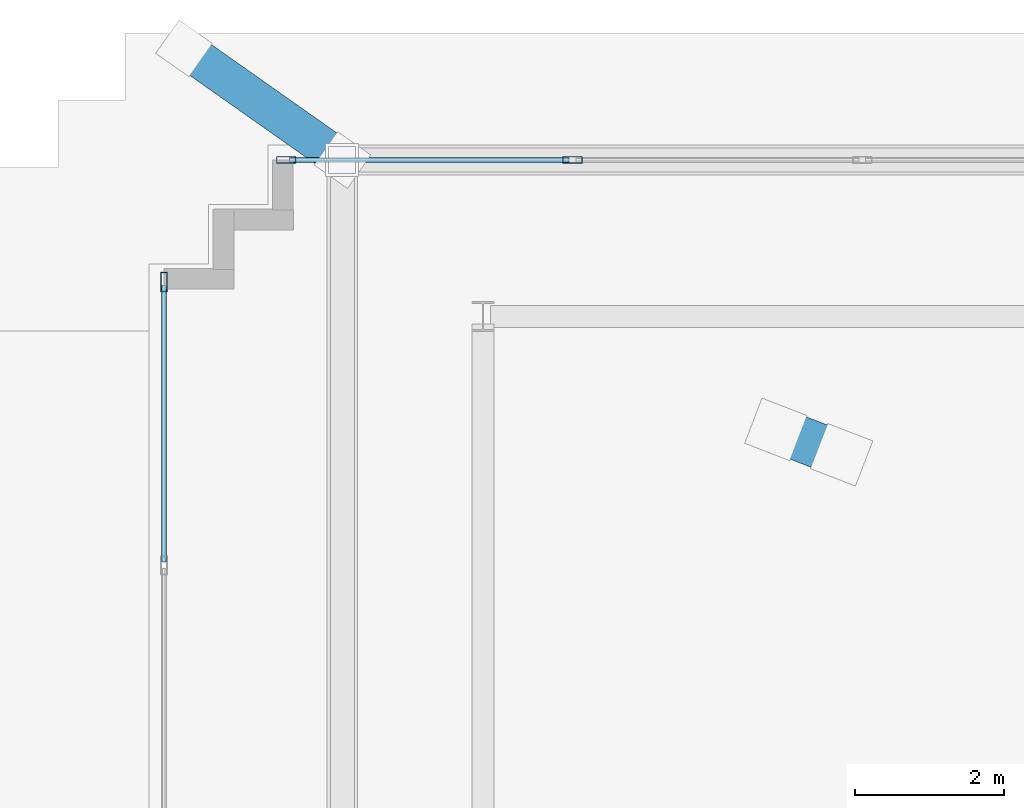
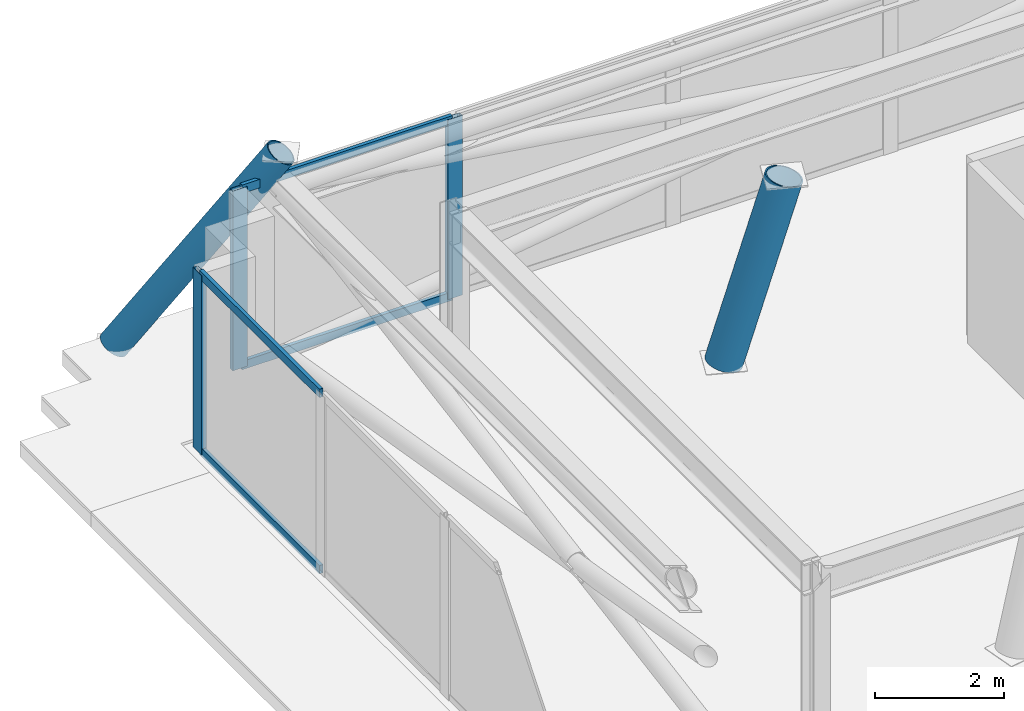
# One storey, part 6 of 13: 9 members, 2 elements without a shape of their own.
"""IFC4 building model written with IfcOpenShell, lengths in metres."""

from ifc_helpers import new_model, si_unit, direction, frame, origin, origin_2d, place, context, subcontext, project, spatial, hollow_rectangle, hollow_circle, extrude, material, layer, layer_set, material_profile, profile_set, type_object, element, aggregate, save


model = new_model("IFC4")

# Units and contexts
model_context = context("Model", 3, precision=1e-05, world=origin(), true_north=direction((0.0, 1.0)))
body_context = subcontext(model_context, "Body", "Model", "MODEL_VIEW")
ifc_project = project(units=[si_unit("LENGTHUNIT", "METRE"), si_unit("AREAUNIT", "SQUARE_METRE"), si_unit("VOLUMEUNIT", "CUBIC_METRE"), si_unit("PLANEANGLEUNIT", "RADIAN"), si_unit("MASSUNIT", "GRAM", prefix="KILO")], contexts=[model_context])

# Site, building, storey
site_placement = place(None, origin())
site = spatial("IfcSite", under=ifc_project, at=site_placement, CompositionType="ELEMENT")
building_placement = place(site_placement, origin())
building = spatial("IfcBuilding", under=site, at=building_placement, Name="Qobustan Lattice House", CompositionType="ELEMENT")
storey_placement = place(building_placement, frame((0.0, 0.0, 285.39990234375)))
storey = spatial("IfcBuildingStorey", under=building, at=storey_placement, Name="L80", CompositionType="ELEMENT", Elevation=285.39990234375)

# Curtain wall, member
ifc_material_1 = material(Name="Anodised aluminium and low-E glazing", Category="aluminium")
ifc_layer = layer(ifc_material_1, 0.219970703125)
ifc_layer_set = layer_set([ifc_layer], Name="Anodised aluminium and low-E glazing")
curtain_wall_type = type_object("IfcCurtainWallType", Name="CW-CRN-01", PredefinedType="USERDEFINED", material=ifc_layer_set)
curtain_wall_1_placement = place(storey_placement, origin())
curtain_wall_1 = element("IfcCurtainWall", 1, at=curtain_wall_1_placement, inside=storey, type_object=curtain_wall_type, Name="L80 glass-point crown faceted curtain wall 5", ObjectType="CURTAIN WALL", PredefinedType="USERDEFINED")
ifc_material_2 = material(Name="Anodised aluminium EN AW-6063 T6", Category="aluminium")
ifc_material_profile_1 = material_profile(ifc_material_2, hollow_rectangle(XDim=0.090087890625, YDim=0.260009765625, WallThickness=0.006103515625, at=origin_2d()), Name="CWM-CROWN-260x90")
ifc_profile_set_1 = profile_set([ifc_material_profile_1], Name="Anodised aluminium EN AW-6063 T6")
member_type_1 = type_object("IfcMemberType", Name="CWM-CRN-260", PredefinedType="MULLION", material=ifc_profile_set_1)
member_1_placement = place(storey_placement, frame((-13.493408203125, 6.0615234375, 0.0), z_axis=(0.0, 0.0, 1.0), x_axis=(-1.0, 0.0, 0.0)))
member_1 = element("IfcMember", 2, at=member_1_placement, type_object=member_type_1, Name="CW-CR mullion 5", PredefinedType="MULLION", context=body_context, shape_type="SweptSolid", body=[
    extrude(hollow_rectangle(XDim=0.090087890625, YDim=0.260009765625, WallThickness=0.006103515625, at=origin_2d()), origin(), (0.0, 0.0, 1.0), 3.400146484375),
])

# Curtain wall, members
curtain_wall_2_placement = place(storey_placement, origin())
curtain_wall_2 = element("IfcCurtainWall", 3, at=curtain_wall_2_placement, inside=storey, type_object=curtain_wall_type, Name="L80 glass-point crown faceted curtain wall 10", ObjectType="CURTAIN WALL", PredefinedType="USERDEFINED")
member_2_placement = place(storey_placement, frame((-11.848388671875, 7.70654296875, 0.0), z_axis=(0.0, 0.0, 1.0), x_axis=(0.0, 1.0, 0.0)))
member_2 = element("IfcMember", 4, at=member_2_placement, type_object=member_type_1, Name="CW-CR mullion 1", PredefinedType="MULLION", context=body_context, shape_type="SweptSolid", body=[
    extrude(hollow_rectangle(XDim=0.090087890625, YDim=0.260009765625, WallThickness=0.006103515625, at=origin_2d()), origin(), (0.0, 0.0, 1.0), 3.400146484375),
])
member_3_placement = place(storey_placement, frame((-7.99560546875, 7.70654296875, 0.0), z_axis=(0.0, 0.0, 1.0), x_axis=(0.0, 1.0, 0.0)))
member_3 = element("IfcMember", 5, at=member_3_placement, type_object=member_type_1, Name="CW-CR mullion 2", PredefinedType="MULLION", context=body_context, shape_type="SweptSolid", body=[
    extrude(hollow_rectangle(XDim=0.090087890625, YDim=0.260009765625, WallThickness=0.006103515625, at=origin_2d()), origin(), (0.0, 0.0, 1.0), 3.400146484375),
])

# Member
ifc_material_3 = material(Name="Anodised aluminium EN AW-6063 T6", Category="aluminium")
ifc_material_profile_2 = material_profile(ifc_material_3, hollow_rectangle(XDim=0.06494140625, YDim=0.159912109375, WallThickness=0.00390625, at=origin_2d()), Name="CWT-160x65")
ifc_profile_set_2 = profile_set([ifc_material_profile_2], Name="Anodised aluminium EN AW-6063 T6")
member_type_2 = type_object("IfcMemberType", Name="CWT-HOR-160", PredefinedType="USERDEFINED", material=ifc_profile_set_2)
member_4_placement = place(storey_placement, frame((-13.493408203125, 2.29833984375, 0.03271484375), z_axis=(0.0, 1.0, 0.0), x_axis=(-1.0, 0.0, 0.0)))
member_4 = element("IfcMember", 6, at=member_4_placement, type_object=member_type_2, Name="CW-CR transom 4.1", ObjectType="TRANSOM", PredefinedType="USERDEFINED", context=body_context, shape_type="SweptSolid", body=[
    extrude(hollow_rectangle(XDim=0.06494140625, YDim=0.159912109375, WallThickness=0.00390625, at=origin_2d()), origin(), (0.0, 0.0, 1.0), 3.71826171875),
])

member_5_placement = place(storey_placement, frame((-13.493408203125, 2.29833984375, 3.36767578125), z_axis=(0.0, 1.0, 0.0), x_axis=(-1.0, 0.0, 0.0)))
member_5 = element("IfcMember", 7, at=member_5_placement, type_object=member_type_2, Name="CW-CR transom 4.2", ObjectType="TRANSOM", PredefinedType="USERDEFINED", context=body_context, shape_type="SweptSolid", body=[
    extrude(hollow_rectangle(XDim=0.06494140625, YDim=0.159912109375, WallThickness=0.00390625, at=origin_2d()), origin(), (0.0, 0.0, 1.0), 3.71826171875),
])

aggregate(curtain_wall_1, [member_1, member_4, member_5])

member_6_placement = place(storey_placement, frame((-11.803466796875, 7.70654296875, 0.03271484375), z_axis=(1.0, 0.0, 0.0), x_axis=(0.0, 1.0, 0.0)))
member_6 = element("IfcMember", 8, at=member_6_placement, type_object=member_type_2, Name="CW-CR transom 1.1", ObjectType="TRANSOM", PredefinedType="USERDEFINED", context=body_context, shape_type="SweptSolid", body=[
    extrude(hollow_rectangle(XDim=0.06494140625, YDim=0.159912109375, WallThickness=0.00390625, at=origin_2d()), origin(), (0.0, 0.0, 1.0), 3.7626953125),
])

member_7_placement = place(storey_placement, frame((-11.803466796875, 7.70654296875, 3.36767578125), z_axis=(1.0, 0.0, 0.0), x_axis=(0.0, 1.0, 0.0)))
member_7 = element("IfcMember", 9, at=member_7_placement, type_object=member_type_2, Name="CW-CR transom 1.2", ObjectType="TRANSOM", PredefinedType="USERDEFINED", context=body_context, shape_type="SweptSolid", body=[
    extrude(hollow_rectangle(XDim=0.06494140625, YDim=0.159912109375, WallThickness=0.00390625, at=origin_2d()), origin(), (0.0, 0.0, 1.0), 3.7626953125),
])

aggregate(curtain_wall_2, [member_2, member_3, member_6, member_7])

# Members
ifc_material_4 = material(Name="Steel S355", Category="steel")
ifc_material_profile_3 = material_profile(ifc_material_4, hollow_circle(Radius=0.304931640625, WallThickness=0.02490234375, at=origin_2d()), Name="CHS610x25")
ifc_profile_set_3 = profile_set([ifc_material_profile_3], Name="Steel S355")
member_type_3 = type_object("IfcMemberType", Name="MEM-SPR-CHS610", PredefinedType="USERDEFINED", material=ifc_profile_set_3)
member_8_placement = place(storey_placement, frame((-5.25927734375, 4.080078125, 0.0), z_axis=(0.249813296945, -0.096369405329, 0.963486509706), x_axis=(0.359913837202, 0.9329855464, 0.0)))
element("IfcMember", 10, at=member_8_placement, inside=storey, type_object=member_type_3, Name="L80 crown spire leg SL4", ObjectType="CROWN FRAME", PredefinedType="USERDEFINED", context=body_context, shape_type="SweptSolid", body=[
    extrude(hollow_circle(Radius=0.304931640625, WallThickness=0.02490234375, at=origin_2d()), origin(), (0.0, 0.0, 1.0), 3.529052734375),
])
ifc_material_5 = material(Name="Steel S355", Category="steel")
ifc_material_profile_4 = material_profile(ifc_material_5, hollow_circle(Radius=0.25390625, WallThickness=0.02001953125, at=origin_2d()), Name="CHS508x20")
ifc_profile_set_4 = profile_set([ifc_material_profile_4], Name="Steel S355")
member_type_4 = type_object("IfcMemberType", Name="MEM-STR-CHS508", PredefinedType="STRUT", material=ifc_profile_set_4)
member_9_placement = place(storey_placement, frame((-13.219970703125, 9.205078125, 0.0), z_axis=(0.461753371927, -0.32540094109, 0.825165468892), x_axis=(0.576041902773, 0.817420165062, 0.0)))
element("IfcMember", 11, at=member_9_placement, inside=storey, type_object=member_type_4, Name="L80 crown corner raking strut 4", PredefinedType="STRUT", context=body_context, shape_type="SweptSolid", body=[
    extrude(hollow_circle(Radius=0.25390625, WallThickness=0.02001953125, at=origin_2d()), origin(), (0.0, 0.0, 1.0), 4.605224609375),
])

save(model, "model.ifc")
